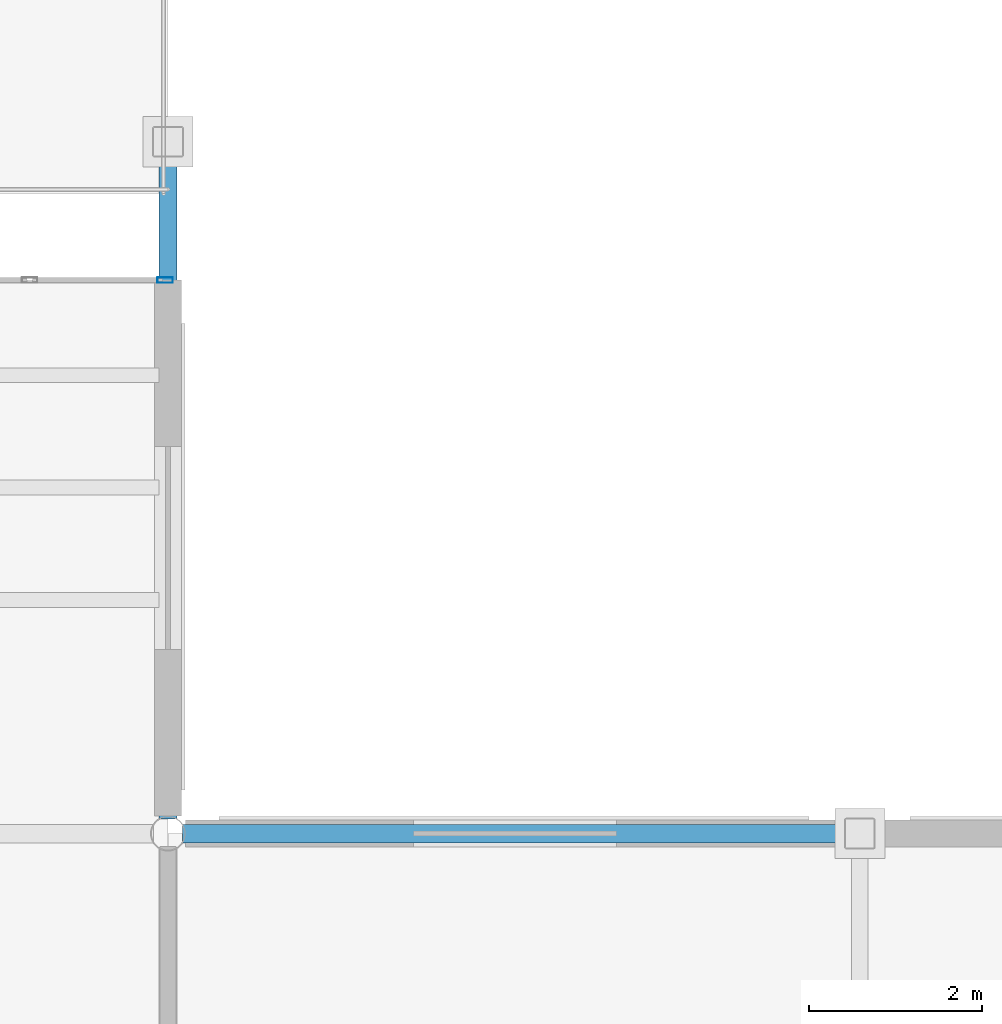
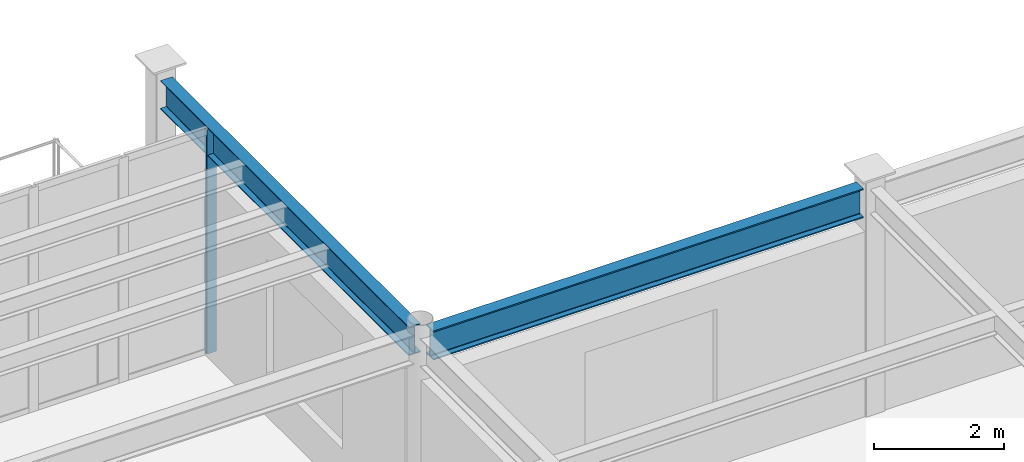
# One storey, part 34 of 111: 2 beams, 1 member, 1 element without a shape of its own.
"""IFC4 building model written with IfcOpenShell, lengths in metres."""

from ifc_helpers import new_model, si_unit, direction, frame, origin, origin_2d, place, context, subcontext, project, spatial, hollow_rectangle, i_section, extrude, material, material_profile, profile_set, type_object, element, aggregate, save


model = new_model("IFC4")

# Units and contexts
model_context = context("Model", 3, precision=1e-05, world=origin(), true_north=direction((0.0, 1.0)))
body_context = subcontext(model_context, "Body", "Model", "MODEL_VIEW")
ifc_project = project(units=[si_unit("LENGTHUNIT", "METRE"), si_unit("AREAUNIT", "SQUARE_METRE"), si_unit("VOLUMEUNIT", "CUBIC_METRE"), si_unit("PLANEANGLEUNIT", "RADIAN"), si_unit("MASSUNIT", "GRAM", prefix="KILO")], contexts=[model_context])

# Site, building, storey
site_placement = place(None, origin())
site = spatial("IfcSite", under=ifc_project, at=site_placement, CompositionType="ELEMENT")
building_placement = place(site_placement, origin())
building = spatial("IfcBuilding", under=site, at=building_placement, Name="Solmirada Galleria", CompositionType="ELEMENT")
storey_placement = place(building_placement, frame((0.0, 0.0, 10.39990234375)))
storey = spatial("IfcBuildingStorey", under=building, at=storey_placement, Name="L02", CompositionType="ELEMENT", Elevation=10.39990234375)

# Beams
ifc_material_1 = material(Name="Steel S355 / ASTM A992 Grade 50", Category="steel")
ifc_material_profile_1 = material_profile(ifc_material_1, i_section(OverallWidth=0.214111328125, OverallDepth=0.549072265625, WebThickness=0.0146484375, FlangeThickness=0.023681640625, FilletRadius=0.014892578125, at=origin_2d()), Name="W21X93")
ifc_profile_set_1 = profile_set([ifc_material_profile_1], Name="Steel S355 / ASTM A992 Grade 50")
beam_type_1 = type_object("IfcBeamType", Name="BM-GIRD-W21A", PredefinedType="BEAM", material=ifc_profile_set_1)
beam_1_placement = place(storey_placement, frame((144.17041015625, 32.0, 3.985595703125), z_axis=(1.0, 0.0, 0.0), x_axis=(0.0, 1.0, 0.0)))
element("IfcBeam", 1, at=beam_1_placement, inside=storey, type_object=beam_type_1, Name="Primary beam L03 X(144..152, 32)", PredefinedType="BEAM", context=body_context, shape_type="SweptSolid", body=[
    extrude(i_section(OverallWidth=0.214111328125, OverallDepth=0.549072265625, WebThickness=0.0146484375, FlangeThickness=0.023681640625, FilletRadius=0.014892578125, at=origin_2d()), origin(), (0.0, 0.0, 1.0), 7.651611328125),
])
ifc_material_profile_2 = material_profile(ifc_material_1, i_section(OverallWidth=0.2099609375, OverallDepth=0.537109375, WebThickness=0.010986328125, FlangeThickness=0.017333984375, FilletRadius=0.014892578125, at=origin_2d()), Name="W21X68")
ifc_profile_set_2 = profile_set([ifc_material_profile_2], Name="Steel S355 / ASTM A992 Grade 50")
beam_type_2 = type_object("IfcBeamType", Name="BM-GIRD-W21B", PredefinedType="BEAM", material=ifc_profile_set_2)
beam_2_placement = place(storey_placement, frame((144.0, 32.17041015625, 3.99169921875), z_axis=(0.0, 1.0, 0.0), x_axis=(-1.0, 0.0, 0.0)))
element("IfcBeam", 2, at=beam_2_placement, inside=storey, type_object=beam_type_2, Name="Primary girder L03 Y(144, 32..40)", PredefinedType="BEAM", context=body_context, shape_type="SweptSolid", body=[
    extrude(i_section(OverallWidth=0.2099609375, OverallDepth=0.537109375, WebThickness=0.010986328125, FlangeThickness=0.017333984375, FilletRadius=0.014892578125, at=origin_2d()), origin(), (0.0, 0.0, 1.0), 7.651611328125),
])

# Curtain wall, member
ifc_material_2 = material(Name="Impact-resistant low-E double glazing", Category="glass")
curtain_wall_type = type_object("IfcCurtainWallType", Name="CW-FZ5-L02-B5-L080", PredefinedType="NOTDEFINED", material=ifc_material_2)
curtain_wall_placement = place(storey_placement, origin())
curtain_wall = element("IfcCurtainWall", 3, at=curtain_wall_placement, inside=storey, type_object=curtain_wall_type, Name="Terrace and arcade storefront CW-L02-115", PredefinedType="NOTDEFINED")
ifc_material_3 = material(Name="Anodised aluminium framing", Category="aluminium")
ifc_material_profile_3 = material_profile(ifc_material_3, hollow_rectangle(XDim=0.06494140625, YDim=0.179931640625, WallThickness=0.00390625, InnerFilletRadius=0.00390625, OuterFilletRadius=0.008056640625, at=origin_2d()), Name="ALU-MULL-180X65")
ifc_profile_set_3 = profile_set([ifc_material_profile_3], Name="Anodised aluminium framing")
member_type = type_object("IfcMemberType", Name="CW-MULL-180", PredefinedType="MULLION", material=ifc_profile_set_3)
member_placement = place(storey_placement, frame((143.967529296875, 38.39990234375, 0.0), z_axis=(0.0, 0.0, 1.0), x_axis=(0.0, 1.0, 0.0)))
member = element("IfcMember", 4, at=member_placement, type_object=member_type, Name="CW25 mullion 6", PredefinedType="MULLION", context=body_context, shape_type="SweptSolid", body=[
    extrude(hollow_rectangle(XDim=0.06494140625, YDim=0.179931640625, WallThickness=0.00390625, InnerFilletRadius=0.00390625, OuterFilletRadius=0.008056640625, at=origin_2d()), origin(), (0.0, 0.0, 1.0), 4.22021484375),
])
aggregate(curtain_wall, [member])

save(model, "model.ifc")
